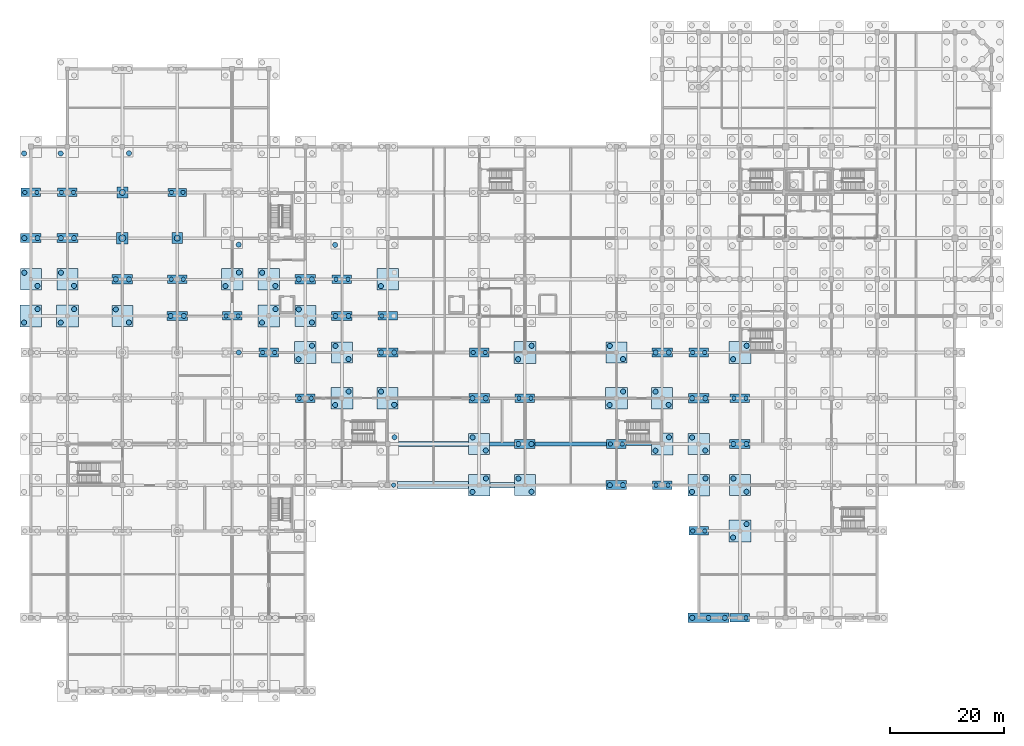
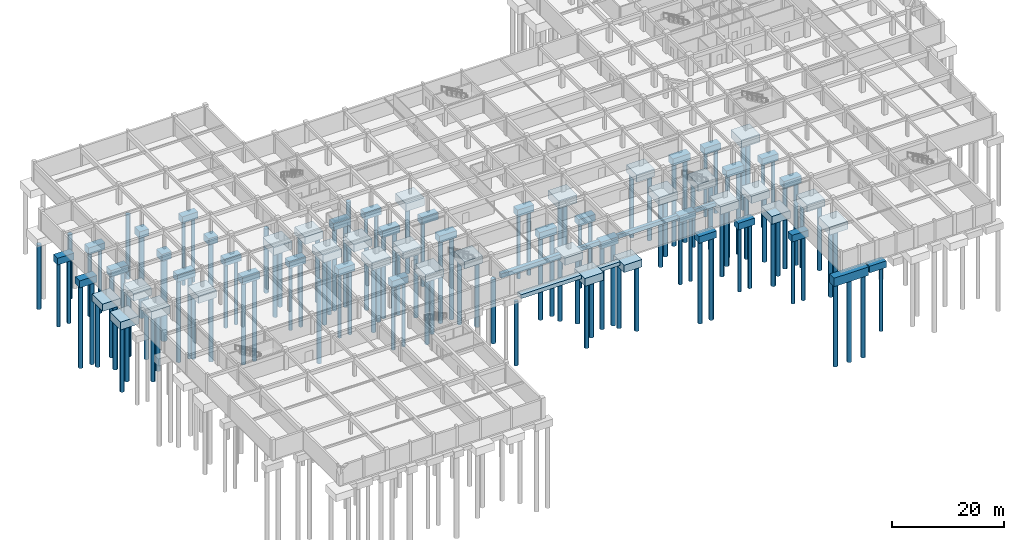
# One storey, part 2 of 28: 125 piles, 67 footings.
"""IFC4 building model written with IfcOpenShell, lengths in metres."""

from ifc_helpers import new_model, si_unit, direction, frame, origin, origin_2d, place, context, subcontext, project, spatial, rectangle, circle, extrude, material, material_profile, profile_set, type_object, element, save


model = new_model("IFC4")

# Units and contexts
model_context = context("Model", 3, precision=1e-05, world=origin(), true_north=direction((0.0, 1.0)))
body_context = subcontext(model_context, "Body", "Model", "MODEL_VIEW")
ifc_project = project(units=[si_unit("LENGTHUNIT", "METRE"), si_unit("AREAUNIT", "SQUARE_METRE"), si_unit("VOLUMEUNIT", "CUBIC_METRE"), si_unit("PLANEANGLEUNIT", "RADIAN"), si_unit("MASSUNIT", "GRAM", prefix="KILO")], contexts=[model_context])

# Site, building, storey
site_placement = place(None, origin())
site = spatial("IfcSite", under=ifc_project, at=site_placement, CompositionType="ELEMENT")
building_placement = place(site_placement, origin())
building = spatial("IfcBuilding", under=site, at=building_placement, Name="Vellmiral Cinema and Media Centre", CompositionType="ELEMENT")
storey_placement = place(building_placement, frame((0.0, 0.0, -4.5)))
storey = spatial("IfcBuildingStorey", under=building, at=storey_placement, Name="B1", CompositionType="ELEMENT", Elevation=-4.5)

# Footings
ifc_material_1 = material(Name="Concrete C30/37", Category="concrete")
footing_type_1 = type_object("IfcFootingType", Name="FTG-FB-60x80", PredefinedType="FOOTING_BEAM", material=ifc_material_1)
footing_1_placement = place(storey_placement, frame((106.300048828125, 43.199951171875, -1.26025390625), z_axis=(0.0, 0.0, 1.0), x_axis=(1.0, 0.0, 0.0)))
element("IfcFooting", 1, at=footing_1_placement, inside=storey, type_object=footing_type_1, Name="Footing Tie Beam 12", PredefinedType="FOOTING_BEAM", context=body_context, shape_type="SweptSolid", body=[
    extrude(rectangle(XDim=4.39599609375, YDim=0.60009765625, at=origin_2d()), origin(), (0.0, 0.0, 1.0), 0.800048828125),
])
ifc_material_2 = material(Name="Concrete C30/37", Category="concrete")
footing_type_2 = type_object("IfcFootingType", Name="FTG-FB-65x85", PredefinedType="FOOTING_BEAM", material=ifc_material_2)
footing_2_placement = place(storey_placement, frame((94.449951171875, 43.199951171875, -1.31005859375), z_axis=(0.0, 0.0, 1.0), x_axis=(1.0, 0.0, 0.0)))
element("IfcFooting", 2, at=footing_2_placement, inside=storey, type_object=footing_type_2, Name="Footing Tie Beam 11", PredefinedType="FOOTING_BEAM", context=body_context, shape_type="SweptSolid", body=[
    extrude(rectangle(XDim=12.49609375, YDim=0.64990234375, at=origin_2d()), origin(), (0.0, 0.0, 1.0), 0.85009765625),
])
ifc_material_3 = material(Name="Concrete C30/37", Category="concrete")
footing_type_3 = type_object("IfcFootingType", Name="FTG-FB-70x90", PredefinedType="FOOTING_BEAM", material=ifc_material_3)
footing_3_placement = place(storey_placement, frame((82.425048828125, 43.199951171875, -1.35986328125), z_axis=(0.0, 0.0, 1.0), x_axis=(1.0, 0.0, 0.0)))
element("IfcFooting", 3, at=footing_3_placement, inside=storey, type_object=footing_type_3, Name="Footing Tie Beam 10", PredefinedType="FOOTING_BEAM", context=body_context, shape_type="SweptSolid", body=[
    extrude(rectangle(XDim=4.345947265625, YDim=0.699951171875, at=origin_2d()), origin(), (0.0, 0.0, 1.0), 0.89990234375),
])
ifc_material_4 = material(Name="Concrete C30/37", Category="concrete")
footing_type_4 = type_object("IfcFootingType", Name="FTG-FB-80x100", PredefinedType="FOOTING_BEAM", material=ifc_material_4)
footing_4_placement = place(storey_placement, frame((70.425048828125, 43.199951171875, -1.4599609375), z_axis=(0.0, 0.0, 1.0), x_axis=(1.0, 0.0, 0.0)))
element("IfcFooting", 4, at=footing_4_placement, inside=storey, type_object=footing_type_4, Name="Footing Tie Beam 09", PredefinedType="FOOTING_BEAM", context=body_context, shape_type="SweptSolid", body=[
    extrude(rectangle(XDim=12.24609375, YDim=0.800048828125, at=origin_2d()), origin(), (0.0, 0.0, 1.0), 1.0),
])
ifc_material_5 = material(Name="Concrete C30/37", Category="concrete")
footing_type_5 = type_object("IfcFootingType", Name="FTG-PC-190x190x145", PredefinedType="PILE_CAP", material=ifc_material_5)
for number, where, z_axis, x_axis, name in (
    (5, (16.0, 87.199951171875, -1.91015625), (0.0, 0.0, 1.0), (1.0, 0.0, 0.0), "Pile Cap 038"),
    (6, (25.60009765625, 79.199951171875, -1.91015625), (0.0, 0.0, 1.0), (1.0, 0.0, 0.0), "Pile Cap 052"),
):
    element("IfcFooting", number, at=place(storey_placement, frame(where, z_axis=z_axis, x_axis=x_axis)), inside=storey, type_object=footing_type_5, Name=name, PredefinedType="PILE_CAP", context=body_context, shape_type="SweptSolid", body=[
        extrude(rectangle(XDim=1.89990234375, YDim=1.89990234375, at=origin_2d()), origin(), (0.0, 0.0, 1.0), 1.449951171875),
    ])
ifc_material_6 = material(Name="Concrete C30/37", Category="concrete")
footing_type_6 = type_object("IfcFootingType", Name="FTG-PC-200x200x155", PredefinedType="PILE_CAP", material=ifc_material_6)
footing_5_placement = place(storey_placement, frame((16.0, 79.199951171875, -2.01025390625), z_axis=(0.0, 0.0, 1.0), x_axis=(1.0, 0.0, 0.0)))
element("IfcFooting", 7, at=footing_5_placement, inside=storey, type_object=footing_type_6, Name="Pile Cap 037", PredefinedType="PILE_CAP", context=body_context, shape_type="SweptSolid", body=[
    extrude(rectangle(XDim=2.0, YDim=2.0, at=origin_2d()), origin(), (0.0, 0.0, 1.0), 1.550048828125),
])
ifc_material_7 = material(Name="Concrete C30/37", Category="concrete")
footing_type_7 = type_object("IfcFootingType", Name="FTG-PC-325x140x140", PredefinedType="PILE_CAP", material=ifc_material_7)
footing_6_placement = place(storey_placement, frame((25.60009765625, 87.199951171875, -1.85986328125), z_axis=(0.0, 0.0, 1.0), x_axis=(1.0, 0.0, 0.0)))
element("IfcFooting", 8, at=footing_6_placement, inside=storey, type_object=footing_type_7, Name="Pile Cap 048", PredefinedType="PILE_CAP", context=body_context, shape_type="SweptSolid", body=[
    extrude(rectangle(XDim=3.25, YDim=1.39990234375, at=origin_2d()), origin(), (0.0, 0.0, 1.0), 1.39990234375),
])
ifc_material_8 = material(Name="Concrete C30/37", Category="concrete")
footing_type_8 = type_object("IfcFootingType", Name="FTG-PC-340x150x145", PredefinedType="PILE_CAP", material=ifc_material_8)
for number, where, z_axis, x_axis, name in (
    (9, (0.0, 87.199951171875, -1.91015625), (0.0, 0.0, 1.0), (1.0, 0.0, 0.0), "Pile Cap 011"),
    (10, (6.39990234375, 87.199951171875, -1.91015625), (0.0, 0.0, 1.0), (1.0, 0.0, 0.0), "Pile Cap 024"),
    (11, (25.60009765625, 72.0, -1.91015625), (0.0, 0.0, 1.0), (1.0, 0.0, 0.0), "Pile Cap 046"),
    (12, (35.199951171875, 65.60009765625, -1.91015625), (0.0, 0.0, 1.0), (1.0, 0.0, 0.0), "Pile Cap 065"),
    (13, (41.60009765625, 59.199951171875, -1.91015625), (0.0, 0.0, 1.0), (1.0, 0.0, 0.0), "Pile Cap 078"),
    (14, (48.0, 51.199951171875, -1.91015625), (0.0, 0.0, 1.0), (1.0, 0.0, 0.0), "Pile Cap 090"),
    (15, (54.39990234375, 72.0, -1.91015625), (0.0, 0.0, 1.0), (1.0, 0.0, 0.0), "Pile Cap 100"),
    (16, (62.39990234375, 65.60009765625, -1.91015625), (0.0, 0.0, 1.0), (1.0, 0.0, 0.0), "Pile Cap 108"),
    (17, (78.39990234375, 59.199951171875, -1.91015625), (0.0, 0.0, 1.0), (1.0, 0.0, 0.0), "Pile Cap 117"),
    (18, (86.39990234375, 51.199951171875, -1.91015625), (0.0, 0.0, 1.0), (1.0, 0.0, 0.0), "Pile Cap 126"),
    (19, (102.39990234375, 43.199951171875, -1.91015625), (0.0, 0.0, 1.0), (1.0, 0.0, 0.0), "Pile Cap 135"),
    (20, (110.39990234375, 36.0, -1.91015625), (0.0, 0.0, 1.0), (1.0, 0.0, 0.0), "Pile Cap 147"),
    (21, (116.800048828125, 28.0, -1.91015625), (0.0, 0.0, 1.0), (1.0, 0.0, 0.0), "Pile Cap 161"),
    (22, (116.800048828125, 59.199951171875, -1.91015625), (0.0, 0.0, 1.0), (1.0, 0.0, 0.0), "Pile Cap 162"),
    (23, (124.0, 12.800048828125, -1.91015625), (0.0, 0.0, 1.0), (1.0, 0.0, 0.0), "Pile Cap 172"),
    (24, (124.0, 51.199951171875, -1.91015625), (0.0, 0.0, 1.0), (1.0, 0.0, 0.0), "Pile Cap 173"),
):
    element("IfcFooting", number, at=place(storey_placement, frame(where, z_axis=z_axis, x_axis=x_axis)), inside=storey, type_object=footing_type_8, Name=name, PredefinedType="PILE_CAP", context=body_context, shape_type="SweptSolid", body=[
        extrude(rectangle(XDim=3.39990234375, YDim=1.5, at=origin_2d()), origin(), (0.0, 0.0, 1.0), 1.449951171875),
    ])
ifc_material_9 = material(Name="Concrete C30/37", Category="concrete")
footing_type_9 = type_object("IfcFootingType", Name="FTG-PC-360x160x150", PredefinedType="PILE_CAP", material=ifc_material_9)
for number, where, z_axis, x_axis, name in (
    (25, (0.0, 79.199951171875, -1.9599609375), (0.0, 0.0, 1.0), (1.0, 0.0, 0.0), "Pile Cap 008"),
    (26, (6.39990234375, 79.199951171875, -1.9599609375), (0.0, 0.0, 1.0), (1.0, 0.0, 0.0), "Pile Cap 021"),
    (27, (16.0, 72.0, -1.9599609375), (0.0, 0.0, 1.0), (1.0, 0.0, 0.0), "Pile Cap 031"),
    (28, (25.60009765625, 65.60009765625, -1.9599609375), (0.0, 0.0, 1.0), (1.0, 0.0, 0.0), "Pile Cap 042"),
    (29, (48.0, 72.0, -1.9599609375), (0.0, 0.0, 1.0), (1.0, 0.0, 0.0), "Pile Cap 088"),
    (30, (54.39990234375, 65.60009765625, -1.9599609375), (0.0, 0.0, 1.0), (1.0, 0.0, 0.0), "Pile Cap 097"),
    (31, (62.39990234375, 59.199951171875, -1.9599609375), (0.0, 0.0, 1.0), (1.0, 0.0, 0.0), "Pile Cap 105"),
    (32, (78.39990234375, 51.199951171875, -1.9599609375), (0.0, 0.0, 1.0), (1.0, 0.0, 0.0), "Pile Cap 115"),
    (33, (86.39990234375, 43.199951171875, -1.9599609375), (0.0, 0.0, 1.0), (1.0, 0.0, 0.0), "Pile Cap 124"),
    (34, (102.39990234375, 36.0, -1.9599609375), (0.0, 0.0, 1.0), (1.0, 0.0, 0.0), "Pile Cap 132"),
    (35, (110.39990234375, 59.199951171875, -1.9599609375), (0.0, 0.0, 1.0), (1.0, 0.0, 0.0), "Pile Cap 146"),
    (36, (116.800048828125, 51.199951171875, -1.9599609375), (0.0, 0.0, 1.0), (1.0, 0.0, 0.0), "Pile Cap 158"),
    (37, (124.0, 43.199951171875, -1.9599609375), (0.0, 0.0, 1.0), (1.0, 0.0, 0.0), "Pile Cap 171"),
):
    element("IfcFooting", number, at=place(storey_placement, frame(where, z_axis=z_axis, x_axis=x_axis)), inside=storey, type_object=footing_type_9, Name=name, PredefinedType="PILE_CAP", context=body_context, shape_type="SweptSolid", body=[
        extrude(rectangle(XDim=3.60009765625, YDim=1.60009765625, at=origin_2d()), origin(), (0.0, 0.0, 1.0), 1.5),
    ])
ifc_material_10 = material(Name="Concrete C30/37", Category="concrete")
footing_type_10 = type_object("IfcFootingType", Name="FTG-PC-370x370x160", PredefinedType="PILE_CAP", material=ifc_material_10)
for number, where, z_axis, x_axis, name in (
    (38, (0.0, 72.0, -2.06005859375), (0.0, 0.0, 1.0), (1.0, 0.0, 0.0), "Pile Cap 005"),
    (39, (6.39990234375, 72.0, -2.06005859375), (0.0, 0.0, 1.0), (1.0, 0.0, 0.0), "Pile Cap 017"),
    (40, (16.0, 65.60009765625, -2.06005859375), (0.0, 0.0, 1.0), (1.0, 0.0, 0.0), "Pile Cap 027"),
    (41, (41.60009765625, 72.0, -2.06005859375), (0.0, 0.0, 1.0), (1.0, 0.0, 0.0), "Pile Cap 072"),
    (42, (48.0, 65.60009765625, -2.06005859375), (0.0, 0.0, 1.0), (1.0, 0.0, 0.0), "Pile Cap 084"),
    (43, (54.39990234375, 59.199951171875, -2.06005859375), (0.0, 0.0, 1.0), (1.0, 0.0, 0.0), "Pile Cap 094"),
    (44, (62.39990234375, 51.199951171875, -2.06005859375), (0.0, 0.0, 1.0), (1.0, 0.0, 0.0), "Pile Cap 103"),
    (45, (78.39990234375, 43.199951171875, -2.06005859375), (0.0, 0.0, 1.0), (1.0, 0.0, 0.0), "Pile Cap 113"),
    (46, (86.39990234375, 36.0, -2.06005859375), (0.0, 0.0, 1.0), (1.0, 0.0, 0.0), "Pile Cap 121"),
    (47, (102.39990234375, 59.199951171875, -2.06005859375), (0.0, 0.0, 1.0), (1.0, 0.0, 0.0), "Pile Cap 130"),
    (48, (110.39990234375, 51.199951171875, -2.06005859375), (0.0, 0.0, 1.0), (1.0, 0.0, 0.0), "Pile Cap 145"),
    (49, (116.800048828125, 43.199951171875, -2.06005859375), (0.0, 0.0, 1.0), (1.0, 0.0, 0.0), "Pile Cap 156"),
    (50, (124.0, 36.0, -2.06005859375), (0.0, 0.0, 1.0), (1.0, 0.0, 0.0), "Pile Cap 170"),
):
    element("IfcFooting", number, at=place(storey_placement, frame(where, z_axis=z_axis, x_axis=x_axis)), inside=storey, type_object=footing_type_10, Name=name, PredefinedType="PILE_CAP", context=body_context, shape_type="SweptSolid", body=[
        extrude(rectangle(XDim=3.699951171875, YDim=3.699951171875, at=origin_2d()), origin(), (0.0, 0.0, 1.0), 1.60009765625),
    ])
ifc_material_11 = material(Name="Concrete C30/37", Category="concrete")
footing_type_11 = type_object("IfcFootingType", Name="FTG-PC-380x380x170", PredefinedType="PILE_CAP", material=ifc_material_11)
for number, where, z_axis, x_axis, name in (
    (51, (0.0, 65.60009765625, -2.16015625), (0.0, 0.0, 1.0), (1.0, 0.0, 0.0), "Pile Cap 002"),
    (52, (6.39990234375, 65.60009765625, -2.16015625), (0.0, 0.0, 1.0), (1.0, 0.0, 0.0), "Pile Cap 013"),
    (53, (35.199951171875, 72.0, -2.16015625), (0.0, 0.0, 1.0), (1.0, 0.0, 0.0), "Pile Cap 056"),
    (54, (41.60009765625, 65.60009765625, -2.16015625), (0.0, 0.0, 1.0), (1.0, 0.0, 0.0), "Pile Cap 068"),
    (55, (48.0, 59.199951171875, -2.16015625), (0.0, 0.0, 1.0), (1.0, 0.0, 0.0), "Pile Cap 081"),
    (56, (54.39990234375, 51.199951171875, -2.16015625), (0.0, 0.0, 1.0), (1.0, 0.0, 0.0), "Pile Cap 092"),
    (57, (62.39990234375, 72.0, -2.16015625), (0.0, 0.0, 1.0), (1.0, 0.0, 0.0), "Pile Cap 102"),
    (58, (78.39990234375, 36.0, -2.16015625), (0.0, 0.0, 1.0), (1.0, 0.0, 0.0), "Pile Cap 110"),
    (59, (86.39990234375, 59.199951171875, -2.16015625), (0.0, 0.0, 1.0), (1.0, 0.0, 0.0), "Pile Cap 119"),
    (60, (102.39990234375, 51.199951171875, -2.16015625), (0.0, 0.0, 1.0), (1.0, 0.0, 0.0), "Pile Cap 128"),
    (61, (110.39990234375, 43.199951171875, -2.16015625), (0.0, 0.0, 1.0), (1.0, 0.0, 0.0), "Pile Cap 144"),
    (62, (116.800048828125, 36.0, -2.16015625), (0.0, 0.0, 1.0), (1.0, 0.0, 0.0), "Pile Cap 155"),
    (63, (124.0, 28.0, -2.16015625), (0.0, 0.0, 1.0), (1.0, 0.0, 0.0), "Pile Cap 168"),
    (64, (124.0, 59.199951171875, -2.16015625), (0.0, 0.0, 1.0), (1.0, 0.0, 0.0), "Pile Cap 169"),
):
    element("IfcFooting", number, at=place(storey_placement, frame(where, z_axis=z_axis, x_axis=x_axis)), inside=storey, type_object=footing_type_11, Name=name, PredefinedType="PILE_CAP", context=body_context, shape_type="SweptSolid", body=[
        extrude(rectangle(XDim=3.800048828125, YDim=3.800048828125, at=origin_2d()), origin(), (0.0, 0.0, 1.0), 1.699951171875),
    ])
ifc_material_12 = material(Name="Concrete C30/37", Category="concrete")
footing_type_12 = type_object("IfcFootingType", Name="FTG-PCC-710x160x185", PredefinedType="PILE_CAP", material=ifc_material_12)
footing_7_placement = place(storey_placement, frame((118.512451171875, 12.800048828125, -2.31005859375), z_axis=(0.0, 0.0, 1.0), x_axis=(1.0, 0.0, 0.0)))
element("IfcFooting", 65, at=footing_7_placement, inside=storey, type_object=footing_type_12, Name="Pile Cap 157", PredefinedType="PILE_CAP", context=body_context, shape_type="SweptSolid", body=[
    extrude(rectangle(XDim=7.10009765625, YDim=1.60009765625, at=origin_2d()), origin(), (0.0, 0.0, 1.0), 1.85009765625),
])
ifc_material_13 = material(Name="Concrete C30/37", Category="concrete")
footing_type_13 = type_object("IfcFootingType", Name="FTG-SF-100x80", PredefinedType="STRIP_FOOTING", material=ifc_material_13)
footing_8_placement = place(storey_placement, frame((82.425048828125, 36.0, -1.26025390625), z_axis=(0.0, 0.0, 1.0), x_axis=(1.0, 0.0, 0.0)))
element("IfcFooting", 66, at=footing_8_placement, inside=storey, type_object=footing_type_13, Name="Strip Footing 12", PredefinedType="STRIP_FOOTING", context=body_context, shape_type="SweptSolid", body=[
    extrude(rectangle(XDim=4.24609375, YDim=1.0, at=origin_2d()), origin(), (0.0, 0.0, 1.0), 0.800048828125),
])
ifc_material_14 = material(Name="Concrete C30/37", Category="concrete")
footing_type_14 = type_object("IfcFootingType", Name="FTG-SF-120x85", PredefinedType="STRIP_FOOTING", material=ifc_material_14)
footing_9_placement = place(storey_placement, frame((70.300048828125, 36.0, -1.31005859375), z_axis=(0.0, 0.0, 1.0), x_axis=(1.0, 0.0, 0.0)))
element("IfcFooting", 67, at=footing_9_placement, inside=storey, type_object=footing_type_14, Name="Strip Footing 11", PredefinedType="STRIP_FOOTING", context=body_context, shape_type="SweptSolid", body=[
    extrude(rectangle(XDim=12.39599609375, YDim=1.199951171875, at=origin_2d()), origin(), (0.0, 0.0, 1.0), 0.85009765625),
])

# Piles
ifc_material_15 = material(Name="Concrete C30/37", Category="concrete")
ifc_material_profile_1 = material_profile(ifc_material_15, circle(Radius=0.52490234375, at=origin_2d()), Name="PILE D1050")
ifc_profile_set_1 = profile_set([ifc_material_profile_1], Name="Concrete C30/37")
pile_type_1 = type_object("IfcPileType", Name="PIL-BORED-D1050-L18", PredefinedType="BORED", material=ifc_profile_set_1)
for number, where, z_axis, x_axis, name in (
    (68, (16.0, 87.199951171875, -1.81005859375), (0.0, 0.0, -1.0), (1.0, 0.0, 0.0), "Bored Pile 038-1"),
    (69, (25.60009765625, 79.199951171875, -1.81005859375), (0.0, 0.0, -1.0), (1.0, 0.0, 0.0), "Bored Pile 052-1"),
):
    element("IfcPile", number, at=place(storey_placement, frame(where, z_axis=z_axis, x_axis=x_axis)), inside=storey, type_object=pile_type_1, Name=name, PredefinedType="BORED", context=body_context, shape_type="SweptSolid", body=[
        extrude(circle(Radius=0.52490234375, at=origin_2d()), origin(), (0.0, 0.0, 1.0), 18.0),
    ])
ifc_material_16 = material(Name="Concrete C30/37", Category="concrete")
ifc_material_profile_2 = material_profile(ifc_material_16, circle(Radius=0.60009765625, at=origin_2d()), Name="PILE D1200")
ifc_profile_set_2 = profile_set([ifc_material_profile_2], Name="Concrete C30/37")
pile_type_2 = type_object("IfcPileType", Name="PIL-BORED-D1200-L18", PredefinedType="BORED", material=ifc_profile_set_2)
pile_placement = place(storey_placement, frame((16.0, 79.199951171875, -1.909912109375), z_axis=(0.0, 0.0, -1.0), x_axis=(1.0, 0.0, 0.0)))
element("IfcPile", 70, at=pile_placement, inside=storey, type_object=pile_type_2, Name="Bored Pile 037-1", PredefinedType="BORED", context=body_context, shape_type="SweptSolid", body=[
    extrude(circle(Radius=0.60009765625, at=origin_2d()), origin(), (0.0, 0.0, 1.0), 18.0),
])
ifc_material_17 = material(Name="Concrete C30/37", Category="concrete")
ifc_material_profile_3 = material_profile(ifc_material_17, circle(Radius=0.375, at=origin_2d()), Name="PILE D750")
ifc_profile_set_3 = profile_set([ifc_material_profile_3], Name="Concrete C30/37")
pile_type_3 = type_object("IfcPileType", Name="PIL-BORED-D750-L14", PredefinedType="BORED", material=ifc_profile_set_3)
for number, where, z_axis, x_axis, name in (
    (71, (-1.050048828125, 87.199951171875, -1.81005859375), (0.0, 0.0, -1.0), (1.0, 0.0, 0.0), "Bored Pile 011-1"),
    (72, (1.050048828125, 87.199951171875, -1.81005859375), (0.0, 0.0, -1.0), (1.0, 0.0, 0.0), "Bored Pile 011-2"),
    (73, (5.35009765625, 87.199951171875, -1.81005859375), (0.0, 0.0, -1.0), (1.0, 0.0, 0.0), "Bored Pile 024-1"),
    (74, (7.449951171875, 87.199951171875, -1.81005859375), (0.0, 0.0, -1.0), (1.0, 0.0, 0.0), "Bored Pile 024-2"),
    (75, (24.550048828125, 72.0, -1.81005859375), (0.0, 0.0, -1.0), (1.0, 0.0, 0.0), "Bored Pile 046-1"),
    (76, (26.64990234375, 72.0, -1.81005859375), (0.0, 0.0, -1.0), (1.0, 0.0, 0.0), "Bored Pile 046-2"),
    (77, (24.60009765625, 87.199951171875, -1.760009765625), (0.0, 0.0, -1.0), (1.0, 0.0, 0.0), "Bored Pile 048-1"),
    (78, (26.60009765625, 87.199951171875, -1.760009765625), (0.0, 0.0, -1.0), (1.0, 0.0, 0.0), "Bored Pile 048-2"),
    (79, (34.14990234375, 65.60009765625, -1.81005859375), (0.0, 0.0, -1.0), (1.0, 0.0, 0.0), "Bored Pile 065-1"),
    (80, (36.25, 65.60009765625, -1.81005859375), (0.0, 0.0, -1.0), (1.0, 0.0, 0.0), "Bored Pile 065-2"),
    (81, (40.550048828125, 59.199951171875, -1.81005859375), (0.0, 0.0, -1.0), (1.0, 0.0, 0.0), "Bored Pile 078-1"),
    (82, (42.64990234375, 59.199951171875, -1.81005859375), (0.0, 0.0, -1.0), (1.0, 0.0, 0.0), "Bored Pile 078-2"),
    (83, (46.949951171875, 51.199951171875, -1.81005859375), (0.0, 0.0, -1.0), (1.0, 0.0, 0.0), "Bored Pile 090-1"),
    (84, (49.050048828125, 51.199951171875, -1.81005859375), (0.0, 0.0, -1.0), (1.0, 0.0, 0.0), "Bored Pile 090-2"),
    (85, (53.35009765625, 72.0, -1.81005859375), (0.0, 0.0, -1.0), (1.0, 0.0, 0.0), "Bored Pile 100-1"),
    (86, (55.449951171875, 72.0, -1.81005859375), (0.0, 0.0, -1.0), (1.0, 0.0, 0.0), "Bored Pile 100-2"),
    (87, (63.449951171875, 36.0, -1.81005859375), (0.0, 0.0, -1.0), (1.0, 0.0, 0.0), "Bored Pile 107-2"),
    (88, (61.35009765625, 65.60009765625, -1.81005859375), (0.0, 0.0, -1.0), (1.0, 0.0, 0.0), "Bored Pile 108-1"),
    (89, (77.35009765625, 59.199951171875, -1.81005859375), (0.0, 0.0, -1.0), (1.0, 0.0, 0.0), "Bored Pile 117-1"),
    (90, (79.449951171875, 59.199951171875, -1.81005859375), (0.0, 0.0, -1.0), (1.0, 0.0, 0.0), "Bored Pile 117-2"),
    (91, (85.35009765625, 51.199951171875, -1.81005859375), (0.0, 0.0, -1.0), (1.0, 0.0, 0.0), "Bored Pile 126-1"),
    (92, (87.449951171875, 51.199951171875, -1.81005859375), (0.0, 0.0, -1.0), (1.0, 0.0, 0.0), "Bored Pile 126-2"),
    (93, (101.35009765625, 43.199951171875, -1.81005859375), (0.0, 0.0, -1.0), (1.0, 0.0, 0.0), "Bored Pile 135-1"),
    (94, (103.449951171875, 43.199951171875, -1.81005859375), (0.0, 0.0, -1.0), (1.0, 0.0, 0.0), "Bored Pile 135-2"),
    (95, (109.35009765625, 36.0, -1.81005859375), (0.0, 0.0, -1.0), (1.0, 0.0, 0.0), "Bored Pile 147-1"),
    (96, (111.449951171875, 36.0, -1.81005859375), (0.0, 0.0, -1.0), (1.0, 0.0, 0.0), "Bored Pile 147-2"),
    (97, (115.75, 28.0, -1.81005859375), (0.0, 0.0, -1.0), (1.0, 0.0, 0.0), "Bored Pile 161-1"),
    (98, (117.85009765625, 28.0, -1.81005859375), (0.0, 0.0, -1.0), (1.0, 0.0, 0.0), "Bored Pile 161-2"),
    (99, (115.75, 59.199951171875, -1.81005859375), (0.0, 0.0, -1.0), (1.0, 0.0, 0.0), "Bored Pile 162-1"),
    (100, (117.85009765625, 59.199951171875, -1.81005859375), (0.0, 0.0, -1.0), (1.0, 0.0, 0.0), "Bored Pile 162-2"),
    (101, (125.050048828125, 12.800048828125, -1.81005859375), (0.0, 0.0, -1.0), (1.0, 0.0, 0.0), "Bored Pile 172-1"),
    (102, (122.949951171875, 51.199951171875, -1.81005859375), (0.0, 0.0, -1.0), (1.0, 0.0, 0.0), "Bored Pile 173-1"),
    (103, (125.050048828125, 51.199951171875, -1.81005859375), (0.0, 0.0, -1.0), (1.0, 0.0, 0.0), "Bored Pile 173-2"),
):
    element("IfcPile", number, at=place(storey_placement, frame(where, z_axis=z_axis, x_axis=x_axis)), inside=storey, type_object=pile_type_3, Name=name, PredefinedType="BORED", context=body_context, shape_type="SweptSolid", body=[
        extrude(circle(Radius=0.375, at=origin_2d()), origin(), (0.0, 0.0, 1.0), 14.0),
    ])
ifc_material_18 = material(Name="Concrete C30/37", Category="concrete")
ifc_material_profile_4 = material_profile(ifc_material_18, circle(Radius=0.449951171875, at=origin_2d()), Name="PILE D900")
ifc_profile_set_4 = profile_set([ifc_material_profile_4], Name="Concrete C30/37")
pile_type_4 = type_object("IfcPileType", Name="PIL-BORED-D900-L14", PredefinedType="BORED", material=ifc_profile_set_4)
for number, where, z_axis, x_axis, name in (
    (104, (1.179931640625, 66.780029296875, -2.06005859375), (0.0, 0.0, -1.0), (1.0, 0.0, 0.0), "Bored Pile 002-1"),
    (105, (-1.179931640625, 64.419921875, -2.06005859375), (0.0, 0.0, -1.0), (1.0, 0.0, 0.0), "Bored Pile 002-2"),
    (106, (-1.179931640625, 94.02001953125, -2.06005859375), (0.0, 0.0, -1.0), (1.0, 0.0, 0.0), "Bored Pile 003-2"),
    (107, (-1.14990234375, 73.14990234375, -1.9599609375), (0.0, 0.0, -1.0), (1.0, 0.0, 0.0), "Bored Pile 005-1"),
    (108, (1.14990234375, 70.85009765625, -1.9599609375), (0.0, 0.0, -1.0), (1.0, 0.0, 0.0), "Bored Pile 005-2"),
    (109, (7.580078125, 66.780029296875, -2.06005859375), (0.0, 0.0, -1.0), (1.0, 0.0, 0.0), "Bored Pile 013-1"),
    (110, (5.219970703125, 64.419921875, -2.06005859375), (0.0, 0.0, -1.0), (1.0, 0.0, 0.0), "Bored Pile 013-2"),
    (111, (5.219970703125, 94.02001953125, -2.06005859375), (0.0, 0.0, -1.0), (1.0, 0.0, 0.0), "Bored Pile 014-2"),
    (112, (5.25, 73.14990234375, -1.9599609375), (0.0, 0.0, -1.0), (1.0, 0.0, 0.0), "Bored Pile 017-1"),
    (113, (7.550048828125, 70.85009765625, -1.9599609375), (0.0, 0.0, -1.0), (1.0, 0.0, 0.0), "Bored Pile 017-2"),
    (114, (14.85009765625, 66.75, -1.9599609375), (0.0, 0.0, -1.0), (1.0, 0.0, 0.0), "Bored Pile 027-1"),
    (115, (17.14990234375, 64.449951171875, -1.9599609375), (0.0, 0.0, -1.0), (1.0, 0.0, 0.0), "Bored Pile 027-2"),
    (116, (17.14990234375, 94.050048828125, -1.9599609375), (0.0, 0.0, -1.0), (1.0, 0.0, 0.0), "Bored Pile 028-2"),
    (117, (36.3798828125, 73.179931640625, -2.06005859375), (0.0, 0.0, -1.0), (1.0, 0.0, 0.0), "Bored Pile 056-1"),
    (118, (34.02001953125, 70.820068359375, -2.06005859375), (0.0, 0.0, -1.0), (1.0, 0.0, 0.0), "Bored Pile 056-2"),
    (119, (36.35009765625, 78.050048828125, -1.9599609375), (0.0, 0.0, -1.0), (1.0, 0.0, 0.0), "Bored Pile 060-2"),
    (120, (42.780029296875, 66.780029296875, -2.06005859375), (0.0, 0.0, -1.0), (1.0, 0.0, 0.0), "Bored Pile 068-1"),
    (121, (40.419921875, 64.419921875, -2.06005859375), (0.0, 0.0, -1.0), (1.0, 0.0, 0.0), "Bored Pile 068-2"),
    (122, (40.449951171875, 73.14990234375, -1.9599609375), (0.0, 0.0, -1.0), (1.0, 0.0, 0.0), "Bored Pile 072-1"),
    (123, (42.75, 70.85009765625, -1.9599609375), (0.0, 0.0, -1.0), (1.0, 0.0, 0.0), "Bored Pile 072-2"),
    (124, (49.179931640625, 60.3798828125, -2.06005859375), (0.0, 0.0, -1.0), (1.0, 0.0, 0.0), "Bored Pile 081-1"),
    (125, (46.820068359375, 58.02001953125, -2.06005859375), (0.0, 0.0, -1.0), (1.0, 0.0, 0.0), "Bored Pile 081-2"),
    (126, (46.85009765625, 66.75, -1.9599609375), (0.0, 0.0, -1.0), (1.0, 0.0, 0.0), "Bored Pile 084-1"),
    (127, (49.14990234375, 64.449951171875, -1.9599609375), (0.0, 0.0, -1.0), (1.0, 0.0, 0.0), "Bored Pile 084-2"),
    (128, (55.580078125, 52.3798828125, -2.06005859375), (0.0, 0.0, -1.0), (1.0, 0.0, 0.0), "Bored Pile 092-1"),
    (129, (53.219970703125, 50.02001953125, -2.06005859375), (0.0, 0.0, -1.0), (1.0, 0.0, 0.0), "Bored Pile 092-2"),
    (130, (53.219970703125, 78.02001953125, -2.06005859375), (0.0, 0.0, -1.0), (1.0, 0.0, 0.0), "Bored Pile 093-2"),
    (131, (53.25, 60.35009765625, -1.9599609375), (0.0, 0.0, -1.0), (1.0, 0.0, 0.0), "Bored Pile 094-1"),
    (132, (55.550048828125, 58.050048828125, -1.9599609375), (0.0, 0.0, -1.0), (1.0, 0.0, 0.0), "Bored Pile 094-2"),
    (133, (63.580078125, 44.3798828125, -2.06005859375), (0.0, 0.0, -1.0), (1.0, 0.0, 0.0), "Bored Pile 101-1"),
    (134, (61.219970703125, 70.820068359375, -2.06005859375), (0.0, 0.0, -1.0), (1.0, 0.0, 0.0), "Bored Pile 102-2"),
    (135, (61.25, 52.35009765625, -1.9599609375), (0.0, 0.0, -1.0), (1.0, 0.0, 0.0), "Bored Pile 103-1"),
    (136, (63.550048828125, 50.050048828125, -1.9599609375), (0.0, 0.0, -1.0), (1.0, 0.0, 0.0), "Bored Pile 103-2"),
    (137, (79.580078125, 37.179931640625, -2.06005859375), (0.0, 0.0, -1.0), (1.0, 0.0, 0.0), "Bored Pile 110-1"),
    (138, (77.219970703125, 34.820068359375, -2.06005859375), (0.0, 0.0, -1.0), (1.0, 0.0, 0.0), "Bored Pile 110-2"),
    (139, (77.25, 44.35009765625, -1.9599609375), (0.0, 0.0, -1.0), (1.0, 0.0, 0.0), "Bored Pile 113-1"),
    (140, (79.550048828125, 42.050048828125, -1.9599609375), (0.0, 0.0, -1.0), (1.0, 0.0, 0.0), "Bored Pile 113-2"),
    (141, (87.580078125, 60.3798828125, -2.06005859375), (0.0, 0.0, -1.0), (1.0, 0.0, 0.0), "Bored Pile 119-1"),
    (142, (85.219970703125, 58.02001953125, -2.06005859375), (0.0, 0.0, -1.0), (1.0, 0.0, 0.0), "Bored Pile 119-2"),
    (143, (85.25, 37.14990234375, -1.9599609375), (0.0, 0.0, -1.0), (1.0, 0.0, 0.0), "Bored Pile 121-1"),
    (144, (87.550048828125, 34.85009765625, -1.9599609375), (0.0, 0.0, -1.0), (1.0, 0.0, 0.0), "Bored Pile 121-2"),
    (145, (103.580078125, 52.3798828125, -2.06005859375), (0.0, 0.0, -1.0), (1.0, 0.0, 0.0), "Bored Pile 128-1"),
    (146, (101.219970703125, 50.02001953125, -2.06005859375), (0.0, 0.0, -1.0), (1.0, 0.0, 0.0), "Bored Pile 128-2"),
    (147, (101.25, 60.35009765625, -1.9599609375), (0.0, 0.0, -1.0), (1.0, 0.0, 0.0), "Bored Pile 130-1"),
    (148, (103.550048828125, 58.050048828125, -1.9599609375), (0.0, 0.0, -1.0), (1.0, 0.0, 0.0), "Bored Pile 130-2"),
    (149, (111.580078125, 44.3798828125, -2.06005859375), (0.0, 0.0, -1.0), (1.0, 0.0, 0.0), "Bored Pile 144-1"),
    (150, (109.219970703125, 42.02001953125, -2.06005859375), (0.0, 0.0, -1.0), (1.0, 0.0, 0.0), "Bored Pile 144-2"),
    (151, (109.25, 52.35009765625, -1.9599609375), (0.0, 0.0, -1.0), (1.0, 0.0, 0.0), "Bored Pile 145-1"),
    (152, (111.550048828125, 50.050048828125, -1.9599609375), (0.0, 0.0, -1.0), (1.0, 0.0, 0.0), "Bored Pile 145-2"),
    (153, (117.97998046875, 37.179931640625, -2.06005859375), (0.0, 0.0, -1.0), (1.0, 0.0, 0.0), "Bored Pile 155-1"),
    (154, (115.6201171875, 34.820068359375, -2.06005859375), (0.0, 0.0, -1.0), (1.0, 0.0, 0.0), "Bored Pile 155-2"),
    (155, (115.64990234375, 44.35009765625, -1.9599609375), (0.0, 0.0, -1.0), (1.0, 0.0, 0.0), "Bored Pile 156-1"),
    (156, (117.949951171875, 42.050048828125, -1.9599609375), (0.0, 0.0, -1.0), (1.0, 0.0, 0.0), "Bored Pile 156-2"),
    (157, (125.179931640625, 29.179931640625, -2.06005859375), (0.0, 0.0, -1.0), (1.0, 0.0, 0.0), "Bored Pile 168-1"),
    (158, (122.820068359375, 26.820068359375, -2.06005859375), (0.0, 0.0, -1.0), (1.0, 0.0, 0.0), "Bored Pile 168-2"),
    (159, (125.179931640625, 60.3798828125, -2.06005859375), (0.0, 0.0, -1.0), (1.0, 0.0, 0.0), "Bored Pile 169-1"),
    (160, (122.820068359375, 58.02001953125, -2.06005859375), (0.0, 0.0, -1.0), (1.0, 0.0, 0.0), "Bored Pile 169-2"),
    (161, (122.85009765625, 37.14990234375, -1.9599609375), (0.0, 0.0, -1.0), (1.0, 0.0, 0.0), "Bored Pile 170-1"),
    (162, (125.14990234375, 34.85009765625, -1.9599609375), (0.0, 0.0, -1.0), (1.0, 0.0, 0.0), "Bored Pile 170-2"),
):
    element("IfcPile", number, at=place(storey_placement, frame(where, z_axis=z_axis, x_axis=x_axis)), inside=storey, type_object=pile_type_4, Name=name, PredefinedType="BORED", context=body_context, shape_type="SweptSolid", body=[
        extrude(circle(Radius=0.449951171875, at=origin_2d()), origin(), (0.0, 0.0, 1.0), 14.0),
    ])
ifc_material_19 = material(Name="Concrete C30/37", Category="concrete")
ifc_material_profile_5 = material_profile(ifc_material_19, circle(Radius=0.449951171875, at=origin_2d()), Name="PILE D900")
ifc_profile_set_5 = profile_set([ifc_material_profile_5], Name="Concrete C30/37")
pile_type_5 = type_object("IfcPileType", Name="PIL-BORED-D900-L18", PredefinedType="BORED", material=ifc_profile_set_5)
for number, where, z_axis, x_axis, name in (
    (163, (-1.14990234375, 79.199951171875, -1.860107421875), (0.0, 0.0, -1.0), (1.0, 0.0, 0.0), "Bored Pile 008-1"),
    (164, (1.14990234375, 79.199951171875, -1.860107421875), (0.0, 0.0, -1.0), (1.0, 0.0, 0.0), "Bored Pile 008-2"),
    (165, (5.25, 79.199951171875, -1.860107421875), (0.0, 0.0, -1.0), (1.0, 0.0, 0.0), "Bored Pile 021-1"),
    (166, (7.550048828125, 79.199951171875, -1.860107421875), (0.0, 0.0, -1.0), (1.0, 0.0, 0.0), "Bored Pile 021-2"),
    (167, (14.85009765625, 72.0, -1.860107421875), (0.0, 0.0, -1.0), (1.0, 0.0, 0.0), "Bored Pile 031-1"),
    (168, (17.14990234375, 72.0, -1.860107421875), (0.0, 0.0, -1.0), (1.0, 0.0, 0.0), "Bored Pile 031-2"),
    (169, (24.449951171875, 65.60009765625, -1.860107421875), (0.0, 0.0, -1.0), (1.0, 0.0, 0.0), "Bored Pile 042-1"),
    (170, (26.75, 65.60009765625, -1.860107421875), (0.0, 0.0, -1.0), (1.0, 0.0, 0.0), "Bored Pile 042-2"),
    (171, (36.35009765625, 59.199951171875, -1.860107421875), (0.0, 0.0, -1.0), (1.0, 0.0, 0.0), "Bored Pile 062-2"),
    (172, (46.85009765625, 72.0, -1.860107421875), (0.0, 0.0, -1.0), (1.0, 0.0, 0.0), "Bored Pile 088-1"),
    (173, (49.14990234375, 72.0, -1.860107421875), (0.0, 0.0, -1.0), (1.0, 0.0, 0.0), "Bored Pile 088-2"),
    (174, (53.25, 65.60009765625, -1.860107421875), (0.0, 0.0, -1.0), (1.0, 0.0, 0.0), "Bored Pile 097-1"),
    (175, (55.550048828125, 65.60009765625, -1.860107421875), (0.0, 0.0, -1.0), (1.0, 0.0, 0.0), "Bored Pile 097-2"),
    (176, (61.25, 59.199951171875, -1.860107421875), (0.0, 0.0, -1.0), (1.0, 0.0, 0.0), "Bored Pile 105-1"),
    (177, (63.550048828125, 59.199951171875, -1.860107421875), (0.0, 0.0, -1.0), (1.0, 0.0, 0.0), "Bored Pile 105-2"),
    (178, (77.25, 51.199951171875, -1.860107421875), (0.0, 0.0, -1.0), (1.0, 0.0, 0.0), "Bored Pile 115-1"),
    (179, (79.550048828125, 51.199951171875, -1.860107421875), (0.0, 0.0, -1.0), (1.0, 0.0, 0.0), "Bored Pile 115-2"),
    (180, (85.25, 43.199951171875, -1.860107421875), (0.0, 0.0, -1.0), (1.0, 0.0, 0.0), "Bored Pile 124-1"),
    (181, (87.550048828125, 43.199951171875, -1.860107421875), (0.0, 0.0, -1.0), (1.0, 0.0, 0.0), "Bored Pile 124-2"),
    (182, (101.25, 36.0, -1.860107421875), (0.0, 0.0, -1.0), (1.0, 0.0, 0.0), "Bored Pile 132-1"),
    (183, (103.550048828125, 36.0, -1.860107421875), (0.0, 0.0, -1.0), (1.0, 0.0, 0.0), "Bored Pile 132-2"),
    (184, (109.25, 59.199951171875, -1.860107421875), (0.0, 0.0, -1.0), (1.0, 0.0, 0.0), "Bored Pile 146-1"),
    (185, (111.550048828125, 59.199951171875, -1.860107421875), (0.0, 0.0, -1.0), (1.0, 0.0, 0.0), "Bored Pile 146-2"),
    (186, (115.66259765625, 12.800048828125, -2.2099609375), (0.0, 0.0, -1.0), (1.0, 0.0, 0.0), "Bored Pile 157-1"),
    (187, (118.512451171875, 12.800048828125, -2.2099609375), (0.0, 0.0, -1.0), (1.0, 0.0, 0.0), "Bored Pile 157-2"),
    (188, (121.362548828125, 12.800048828125, -2.2099609375), (0.0, 0.0, -1.0), (1.0, 0.0, 0.0), "Bored Pile 157-3"),
    (189, (115.64990234375, 51.199951171875, -1.860107421875), (0.0, 0.0, -1.0), (1.0, 0.0, 0.0), "Bored Pile 158-1"),
    (190, (117.949951171875, 51.199951171875, -1.860107421875), (0.0, 0.0, -1.0), (1.0, 0.0, 0.0), "Bored Pile 158-2"),
    (191, (122.85009765625, 43.199951171875, -1.860107421875), (0.0, 0.0, -1.0), (1.0, 0.0, 0.0), "Bored Pile 171-1"),
    (192, (125.14990234375, 43.199951171875, -1.860107421875), (0.0, 0.0, -1.0), (1.0, 0.0, 0.0), "Bored Pile 171-2"),
):
    element("IfcPile", number, at=place(storey_placement, frame(where, z_axis=z_axis, x_axis=x_axis)), inside=storey, type_object=pile_type_5, Name=name, PredefinedType="BORED", context=body_context, shape_type="SweptSolid", body=[
        extrude(circle(Radius=0.449951171875, at=origin_2d()), origin(), (0.0, 0.0, 1.0), 18.0),
    ])

save(model, "model.ifc")
